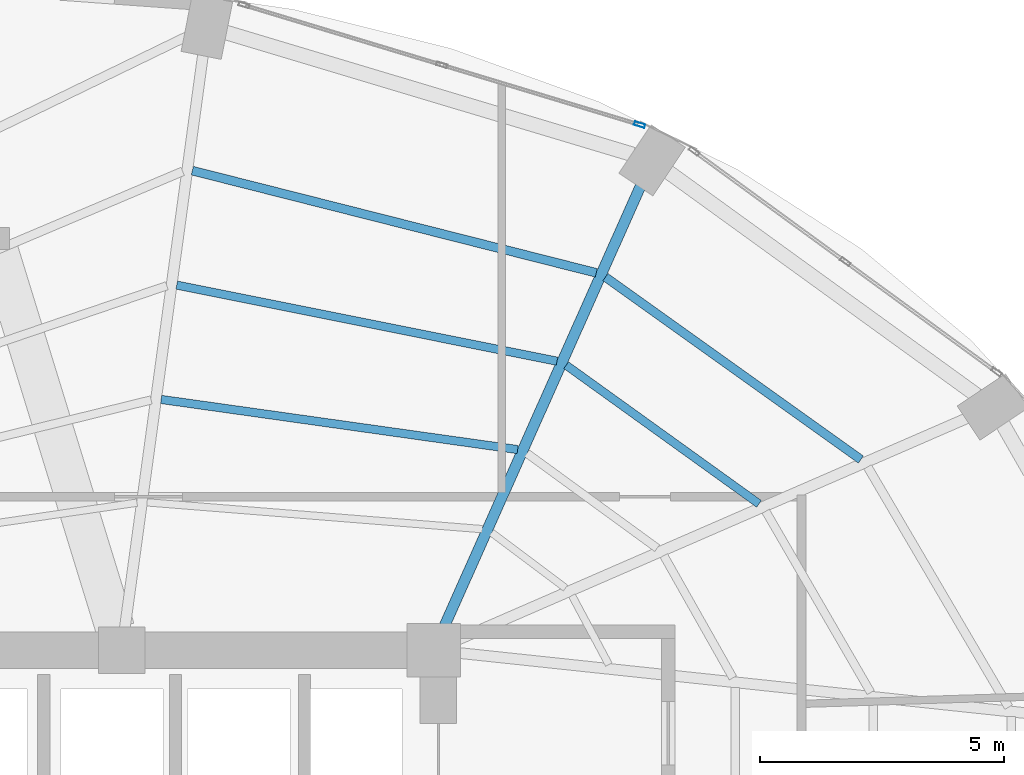
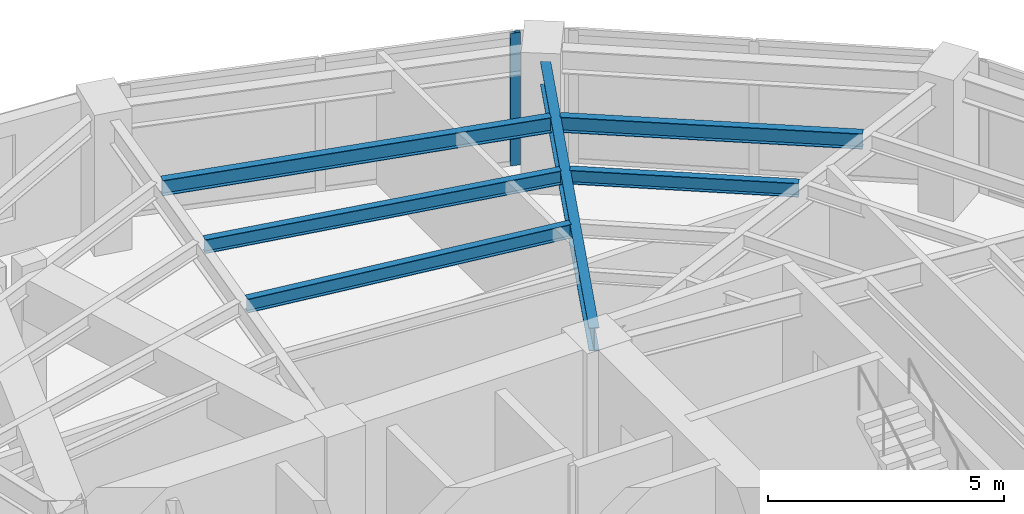
# One storey, part 16 of 23: 6 beams, 1 member, 1 element without a shape of its own.
"""IFC4 building model written with IfcOpenShell, lengths in metres."""

from ifc_helpers import new_model, si_unit, direction, frame, origin, origin_2d, place, context, subcontext, project, spatial, hollow_rectangle, i_section, extrude, material, layer, layer_set, material_profile, profile_set, type_object, element, aggregate, save


model = new_model("IFC4")

# Units and contexts
model_context = context("Model", 3, precision=1e-05, world=origin(), true_north=direction((0.0, 1.0)))
body_context = subcontext(model_context, "Body", "Model", "MODEL_VIEW")
ifc_project = project(units=[si_unit("LENGTHUNIT", "METRE"), si_unit("AREAUNIT", "SQUARE_METRE"), si_unit("VOLUMEUNIT", "CUBIC_METRE"), si_unit("PLANEANGLEUNIT", "RADIAN"), si_unit("MASSUNIT", "GRAM", prefix="KILO")], contexts=[model_context])

# Site, building, storey
site_placement = place(None, origin())
site = spatial("IfcSite", under=ifc_project, at=site_placement, CompositionType="ELEMENT")
building_placement = place(site_placement, origin())
building = spatial("IfcBuilding", under=site, at=building_placement, Name="Lazwardi Medical Tower", CompositionType="ELEMENT")
storey_placement = place(building_placement, frame((0.0, 0.0, 121.8720703125)))
storey = spatial("IfcBuildingStorey", under=building, at=storey_placement, Name="L31", CompositionType="ELEMENT", Elevation=121.8720703125)

# Beams
ifc_material_1 = material(Name="Steel S355", Category="steel")
ifc_material_profile_1 = material_profile(ifc_material_1, i_section(OverallWidth=0.219970703125, OverallDepth=0.60009765625, WebThickness=0.011962890625, FlangeThickness=0.01904296875, at=origin_2d()), Name="IPE 600")
ifc_profile_set_1 = profile_set([ifc_material_profile_1], Name="Steel S355")
beam_type_1 = type_object("IfcBeamType", Name="BM-RG-W1", PredefinedType="BEAM", material=ifc_profile_set_1)
beam_1_placement = place(storey_placement, frame((49.847412109375, 45.127685546875, 3.1279296875), z_axis=(-0.407165924957, -0.913354208155, 0.0), x_axis=(0.913354208155, -0.407165924957, 0.0)))
element("IfcBeam", 1, at=beam_1_placement, inside=storey, type_object=beam_type_1, Name="Radial girder RG-02 R07 L31", PredefinedType="BEAM", context=body_context, shape_type="SweptSolid", body=[
    extrude(i_section(OverallWidth=0.219970703125, OverallDepth=0.60009765625, WebThickness=0.011962890625, FlangeThickness=0.01904296875, at=origin_2d()), origin(), (0.0, 0.0, 1.0), 9.896484375),
])
ifc_material_profile_2 = material_profile(ifc_material_1, i_section(OverallWidth=0.179931640625, OverallDepth=0.39990234375, WebThickness=0.008544921875, FlangeThickness=0.013427734375, at=origin_2d()), Name="IPE 400")
ifc_profile_set_2 = profile_set([ifc_material_profile_2], Name="Steel S355")
beam_type_2 = type_object("IfcBeamType", Name="BM-SJ-01", PredefinedType="JOIST", material=ifc_profile_set_2)
beam_2_placement = place(storey_placement, frame((54.369384765625, 39.514404296875, 3.22802734375), z_axis=(-0.813748834317, 0.581216684763, 0.0), x_axis=(-0.581216684763, -0.813748834317, 0.0)))
element("IfcBeam", 2, at=beam_2_placement, inside=storey, type_object=beam_type_2, Name="Secondary joist SJ-01 R1 B06 L31", PredefinedType="JOIST", context=body_context, shape_type="SweptSolid", body=[
    extrude(i_section(OverallWidth=0.179931640625, OverallDepth=0.39990234375, WebThickness=0.008544921875, FlangeThickness=0.013427734375, at=origin_2d()), origin(), (0.0, 0.0, 1.0), 6.4423828125),
])
beam_3_placement = place(storey_placement, frame((48.939697265625, 43.345703125, 3.22802734375), z_axis=(-0.96945186753, 0.245281626997, 0.0), x_axis=(-0.245281626997, -0.96945186753, 0.0)))
element("IfcBeam", 3, at=beam_3_placement, inside=storey, type_object=beam_type_2, Name="Secondary joist SJ-01 R1 B07 L31", PredefinedType="JOIST", context=body_context, shape_type="SweptSolid", body=[
    extrude(i_section(OverallWidth=0.179931640625, OverallDepth=0.39990234375, WebThickness=0.008544921875, FlangeThickness=0.013427734375, at=origin_2d()), origin(), (0.0, 0.0, 1.0), 8.552978515625),
])
ifc_material_profile_3 = material_profile(ifc_material_1, i_section(OverallWidth=0.169921875, OverallDepth=0.360107421875, WebThickness=0.008056640625, FlangeThickness=0.0126953125, at=origin_2d()), Name="IPE 360")
ifc_profile_set_3 = profile_set([ifc_material_profile_3], Name="Steel S355")
beam_type_3 = type_object("IfcBeamType", Name="BM-SJ-02", PredefinedType="JOIST", material=ifc_profile_set_3)
beam_4_placement = place(storey_placement, frame((52.278564453125, 38.604736328125, 3.248046875), z_axis=(-0.811888517177, 0.583812500446, 0.0), x_axis=(-0.583812500446, -0.811888517177, 0.0)))
element("IfcBeam", 4, at=beam_4_placement, inside=storey, type_object=beam_type_3, Name="Secondary joist SJ-02 R2 B06 L31", PredefinedType="JOIST", context=body_context, shape_type="SweptSolid", body=[
    extrude(i_section(OverallWidth=0.169921875, OverallDepth=0.360107421875, WebThickness=0.008056640625, FlangeThickness=0.0126953125, at=origin_2d()), origin(), (0.0, 0.0, 1.0), 4.874755859375),
])
beam_5_placement = place(storey_placement, frame((48.1328125, 41.53271484375, 3.248046875), z_axis=(-0.980542906584, 0.196304886203, 0.0), x_axis=(-0.196304886203, -0.980542906584, 0.0)))
element("IfcBeam", 5, at=beam_5_placement, inside=storey, type_object=beam_type_3, Name="Secondary joist SJ-02 R2 B07 L31", PredefinedType="JOIST", context=body_context, shape_type="SweptSolid", body=[
    extrude(i_section(OverallWidth=0.169921875, OverallDepth=0.360107421875, WebThickness=0.008056640625, FlangeThickness=0.0126953125, at=origin_2d()), origin(), (0.0, 0.0, 1.0), 7.95947265625),
])
beam_6_placement = place(storey_placement, frame((47.32568359375, 39.718994140625, 3.248046875), z_axis=(-0.990260920731, 0.139223952222, 0.0), x_axis=(-0.139223952222, -0.990260920731, 0.0)))
element("IfcBeam", 6, at=beam_6_placement, inside=storey, type_object=beam_type_3, Name="Secondary joist SJ-02 R3 B07 L31", PredefinedType="JOIST", context=body_context, shape_type="SweptSolid", body=[
    extrude(i_section(OverallWidth=0.169921875, OverallDepth=0.360107421875, WebThickness=0.008056640625, FlangeThickness=0.0126953125, at=origin_2d()), origin(), (0.0, 0.0, 1.0), 7.3896484375),
])

# Curtain wall, member
ifc_material_2 = material(Name="Anodised bronze aluminium and solar control glazing", Category="aluminium")
ifc_layer = layer(ifc_material_2, 0.195068359375)
ifc_layer_set = layer_set([ifc_layer], Name="Anodised bronze aluminium and solar control glazing")
curtain_wall_type = type_object("IfcCurtainWallType", Name="CW-SYS-03", PredefinedType="NOTDEFINED", material=ifc_layer_set)
curtain_wall_placement = place(storey_placement, origin())
curtain_wall = element("IfcCurtainWall", 7, at=curtain_wall_placement, inside=storey, type_object=curtain_wall_type, Name="L31 Unitised bronze curtain wall CW-03", PredefinedType="NOTDEFINED")
ifc_material_3 = material(Name="Anodised bronze aluminium", Category="aluminium")
ifc_material_profile_4 = material_profile(ifc_material_3, hollow_rectangle(XDim=0.074951171875, YDim=0.219970703125, WallThickness=0.00390625, at=origin_2d()), Name="ALU-MULLION 220x75x4")
ifc_profile_set_4 = profile_set([ifc_material_profile_4], Name="Anodised bronze aluminium")
member_type = type_object("IfcMemberType", Name="CW-MUL-01", PredefinedType="MULLION", material=ifc_profile_set_4)
member_placement = place(storey_placement, frame((49.828369140625, 46.385986328125, 0.0), z_axis=(0.0, 0.0, 1.0), x_axis=(-0.28937381157, -0.957216170558, 0.0)))
member = element("IfcMember", 8, at=member_placement, type_object=member_type, Name="CW-03 mullion 1", PredefinedType="MULLION", context=body_context, shape_type="SweptSolid", body=[
    extrude(hollow_rectangle(XDim=0.074951171875, YDim=0.219970703125, WallThickness=0.00390625, at=origin_2d()), origin(), (0.0, 0.0, 1.0), 3.427978515625),
])
aggregate(curtain_wall, [member])

save(model, "model.ifc")
